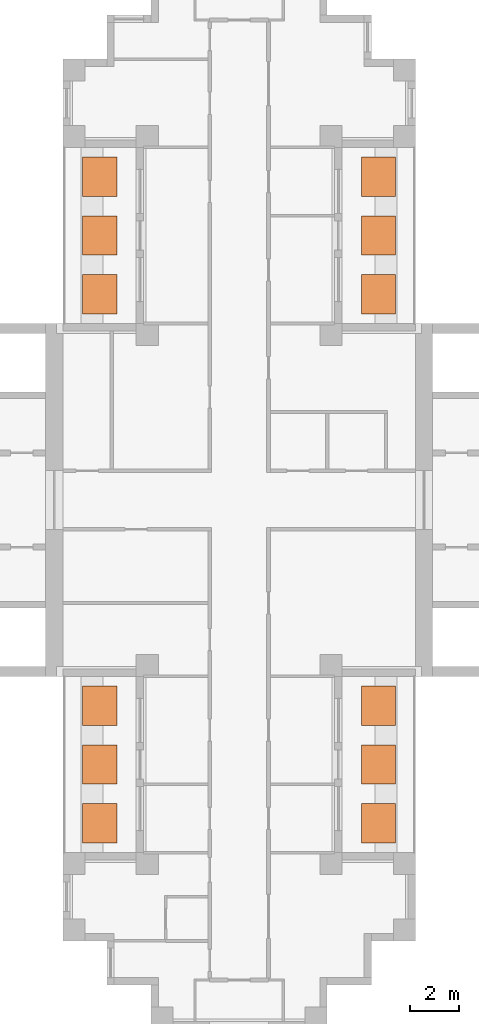
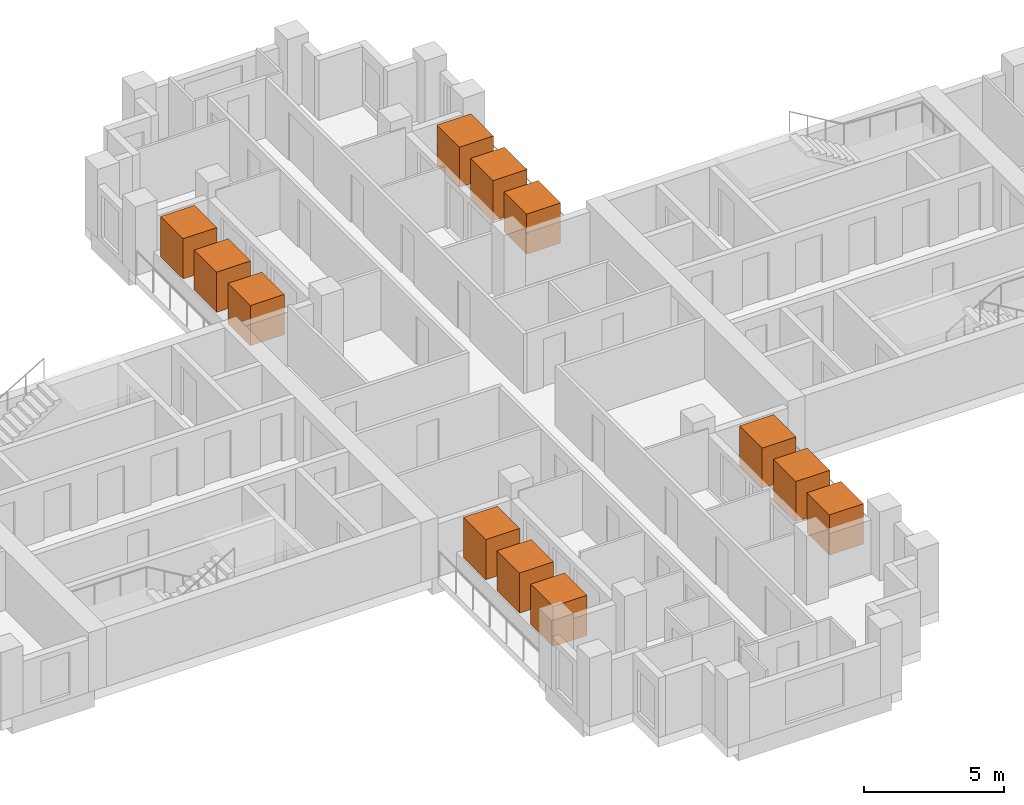
# One storey, part 9 of 9: 12 geographic elements.
"""IFC4 building model written with IfcOpenShell, lengths in metres."""

import ifcopenshell
import ifcopenshell.guid

model = None  # the IFC model being written
_history = None  # IfcOwnerHistory: only IFC2X3 demands one
_inside = {}  # id of a spatial element -> (the spatial element, [elements in it])
_under = {}  # id of a project, library or spatial element -> (it, [spatial elements below it])
_declared = {}  # id of a project -> (the project, [libraries it declares])
_typed = {}  # id of a type object -> (the type object, [elements of that type])
_made_of = {}  # id of a material, layer set ... -> (it, [elements and type objects made of it])


def new_model(schema):
    """Start an empty IFC model of exactly this schema.

    Asked for "IFC4X3", IfcOpenShell would pick the latest addendum, in which some entities
    have other attributes; the version numbers below select the first issue.
    IFC2X3 requires an IfcOwnerHistory on every rooted entity: one is made here for all.
    """
    global model, _history
    if schema == "IFC4X3":
        model = ifcopenshell.file(schema_version=(4, 3, 0, 0))
    else:
        model = ifcopenshell.file(schema=schema)
    _inside.clear()
    _under.clear()
    _declared.clear()
    _typed.clear()
    _made_of.clear()
    _history = None
    if model.schema == "IFC2X3":
        org = make("IfcOrganization", Name="unknown")
        user = make(
            "IfcPersonAndOrganization",
            ThePerson=make("IfcPerson", FamilyName="unknown"),
            TheOrganization=org,
        )
        app = make(
            "IfcApplication",
            ApplicationDeveloper=org,
            Version="unknown",
            ApplicationFullName="unknown",
            ApplicationIdentifier="unknown",
        )
        _history = make(
            "IfcOwnerHistory",
            OwningUser=user,
            OwningApplication=app,
            ChangeAction="ADDED",
            CreationDate=0,
        )
    return model


def make(cls, **values):
    """One entity of the class cls with the attributes given. An attribute that is None is left unset."""
    return model.create_entity(
        cls, **{name: value for name, value in values.items() if value is not None}
    )


def rooted(cls, **values):
    """An entity with a GlobalId (a new one), such as an element, a storey or a relation."""
    return make(cls, GlobalId=ifcopenshell.guid.new(), OwnerHistory=_history, **values)


def si_unit(unit_type, name, prefix=None):
    """IfcSIUnit, for example si_unit("LENGTHUNIT", "METRE", prefix="MILLI")."""
    return make("IfcSIUnit", UnitType=unit_type, Prefix=prefix, Name=name)


def assignment(units):
    """IfcUnitAssignment: the units of a project."""
    return None if units is None else make("IfcUnitAssignment", Units=units)


def point(xyz):
    """IfcCartesianPoint."""
    return None if xyz is None else make("IfcCartesianPoint", Coordinates=xyz)


def direction(xyz):
    """IfcDirection."""
    return None if xyz is None else make("IfcDirection", DirectionRatios=xyz)


def frame(location, z_axis=None, x_axis=None):
    """IfcAxis2Placement3D, a coordinate frame: its origin and axes. An axis left out is left unset."""
    return make(
        "IfcAxis2Placement3D",
        Location=point(location),
        Axis=direction(z_axis),
        RefDirection=direction(x_axis),
    )


def frame_2d(location, x_axis=None):
    """IfcAxis2Placement2D, a coordinate frame in the plane: its origin and x axis."""
    return make(
        "IfcAxis2Placement2D", Location=point(location), RefDirection=direction(x_axis)
    )


def origin():
    """The frame at (0, 0, 0) with its axes left unset."""
    return frame((0.0, 0.0, 0.0))


def origin_2d():
    """The frame at (0, 0) in the plane with its x axis left unset."""
    return frame_2d((0.0, 0.0))


def place(relative_to, where):
    """IfcLocalPlacement: puts the frame where relative to a parent placement (None: the world)."""
    return make(
        "IfcLocalPlacement", PlacementRelTo=relative_to, RelativePlacement=where
    )


def context(
    kind, dimensions, precision=None, world=None, true_north=None, identifier=None
):
    """IfcGeometricRepresentationContext, for example the 3D "Model" context."""
    return make(
        "IfcGeometricRepresentationContext",
        ContextIdentifier=identifier,
        ContextType=kind,
        CoordinateSpaceDimension=dimensions,
        Precision=precision,
        WorldCoordinateSystem=world,
        TrueNorth=true_north,
    )


def subcontext(parent, identifier, kind, view, scale=None):
    """IfcGeometricRepresentationSubContext, for example "Body" below "Model"."""
    return make(
        "IfcGeometricRepresentationSubContext",
        ContextIdentifier=identifier,
        ContextType=kind,
        ParentContext=parent,
        TargetScale=scale,
        TargetView=view,
    )


def project(units=None, contexts=None):
    """IfcProject with its units and contexts."""
    return rooted(
        "IfcProject",
        Name="project",
        RepresentationContexts=contexts,
        UnitsInContext=assignment(units),
    )


def spatial(cls, under=None, at=None, **own):
    """A site, building, storey or space (cls), placed at a placement, below another one or the project."""
    s = rooted(cls, ObjectPlacement=at, **own)
    if under is not None:
        _under.setdefault(under.id(), (under, []))[1].append(s)
    return s


def profile(cls, at=None, kind="AREA", **sizes):
    """A parametric profile (cls). Its sizes go by their IFC names, for example OverallWidth=200.0."""
    return make(cls, ProfileType=kind, Position=at, **sizes)


def rectangle(**sizes):
    """IfcRectangleProfileDef."""
    return profile("IfcRectangleProfileDef", **sizes)


def extrude(swept, where, along, depth):
    """IfcExtrudedAreaSolid: the profile swept, set in the frame where, extruded along a direction by depth."""
    return make(
        "IfcExtrudedAreaSolid",
        SweptArea=swept,
        Position=where,
        ExtrudedDirection=direction(along),
        Depth=depth,
    )


def shape(context_of_items, identifier, shape_type, items):
    """IfcShapeRepresentation: the items that make up one representation, for example the "Body"."""
    return make(
        "IfcShapeRepresentation",
        ContextOfItems=context_of_items,
        RepresentationIdentifier=identifier,
        RepresentationType=shape_type,
        Items=items,
    )


def material(Name=None, Category=None):
    """IfcMaterial."""
    return make("IfcMaterial", Name=Name, Category=Category)


def made_of(thing, what):
    """Note that an element or type object is made of a material, layer set ...; save() writes the relation."""
    if what is not None:
        _made_of.setdefault(what.id(), (what, []))[1].append(thing)
    return thing


def element(
    cls,
    number,
    at=None,
    inside=None,
    cuts=None,
    type_object=None,
    material=None,
    context=None,
    identifier="Body",
    shape_type=None,
    held_by="IfcProductDefinitionShape",
    body=None,
    shapes=None,
    **own,
):
    """One element of the class cls, such as IfcWall. Its Tag is "e" and its number.

    at: its placement. inside: the storey or other place that contains it. cuts: it is an
    opening in that element (IfcRelVoidsElement). A single representation is given by context,
    identifier, shape_type and body (its items); several are given by shapes. held_by: the class
    of the entity that holds the representations. save() writes the other relations.
    """
    e = rooted(cls, Tag="e%d" % number, ObjectPlacement=at, **own)
    if body is not None:
        shapes = [shape(context, identifier, shape_type, body)]
    if shapes is not None:
        e.Representation = make(held_by, Representations=shapes)
    if inside is not None:
        _inside.setdefault(inside.id(), (inside, []))[1].append(e)
    if cuts is not None:
        rooted(
            "IfcRelVoidsElement", RelatingBuildingElement=cuts, RelatedOpeningElement=e
        )
    if type_object is not None:
        _typed.setdefault(type_object.id(), (type_object, []))[1].append(e)
    return made_of(e, material)


def aggregate(whole, parts):
    """IfcRelAggregates: a whole, such as a stair, and the parts it consists of."""
    return rooted("IfcRelAggregates", RelatingObject=whole, RelatedObjects=parts)


def save(model, path):
    """Write the relations noted so far, then the file.

    IfcRelAggregates (storeys below a building ...), IfcRelContainedInSpatialStructure (elements
    in a storey), IfcRelDefinesByType, IfcRelAssociatesMaterial and IfcRelDeclares: one each for
    every whole, place, type object, material and project.
    """
    for whole, parts in _under.values():
        aggregate(whole, parts)
    for where, things in _inside.values():
        rooted(
            "IfcRelContainedInSpatialStructure",
            RelatedElements=things,
            RelatingStructure=where,
        )
    for kind, things in _typed.values():
        rooted("IfcRelDefinesByType", RelatedObjects=things, RelatingType=kind)
    for what, things in _made_of.values():
        rooted("IfcRelAssociatesMaterial", RelatedObjects=things, RelatingMaterial=what)
    for by, libraries in _declared.values():
        rooted("IfcRelDeclares", RelatingContext=by, RelatedDefinitions=libraries)
    model.write(path)


model = new_model("IFC4")

# Units and contexts
model_context = context("Model", 3, precision=1e-05, world=origin(), true_north=direction((0.0, 1.0)))
body_context = subcontext(model_context, "Body", "Model", "MODEL_VIEW")
ifc_project = project(units=[si_unit("LENGTHUNIT", "METRE"), si_unit("AREAUNIT", "SQUARE_METRE"), si_unit("VOLUMEUNIT", "CUBIC_METRE"), si_unit("PLANEANGLEUNIT", "RADIAN"), si_unit("MASSUNIT", "GRAM", prefix="KILO")], contexts=[model_context])

# Site, building, storey
site_placement = place(None, origin())
site = spatial("IfcSite", under=ifc_project, at=site_placement, CompositionType="ELEMENT")
building_placement = place(site_placement, origin())
building = spatial("IfcBuilding", under=site, at=building_placement, Name="Fustian Cross Tower", CompositionType="ELEMENT")
storey_placement = place(building_placement, frame((0.0, 0.0, 219.89990234375)))
storey = spatial("IfcBuildingStorey", under=building, at=storey_placement, Name="L69", CompositionType="ELEMENT", Elevation=219.89990234375)

# Geographic elements
ifc_material = material(Name="Evergreen foliage")
for number, where, z_axis, x_axis, name in (
    (1, (5.68994140625, 8.39990234375, 0.800048828125), (0.0, 0.0, 1.0), (1.0, 0.0, 0.0), "TREE field maple"),
    (2, (5.68994140625, 10.800048828125, 0.800048828125), (0.0, 0.0, 1.0), (1.0, 0.0, 0.0), "TREE field maple"),
    (3, (5.68994140625, 13.199951171875, 0.800048828125), (0.0, 0.0, 1.0), (1.0, 0.0, 0.0), "TREE field maple"),
    (4, (-5.68994140625, 8.39990234375, 0.800048828125), (0.0, 0.0, 1.0), (1.0, 0.0, 0.0), "TREE field maple"),
    (5, (-5.68994140625, 10.800048828125, 0.800048828125), (0.0, 0.0, 1.0), (1.0, 0.0, 0.0), "TREE field maple"),
    (6, (-5.68994140625, 13.199951171875, 0.800048828125), (0.0, 0.0, 1.0), (1.0, 0.0, 0.0), "TREE field maple"),
    (7, (5.68994140625, -13.199951171875, 0.800048828125), (0.0, 0.0, 1.0), (1.0, 0.0, 0.0), "TREE field maple"),
    (8, (5.68994140625, -10.800048828125, 0.800048828125), (0.0, 0.0, 1.0), (1.0, 0.0, 0.0), "TREE field maple"),
    (9, (5.68994140625, -8.39990234375, 0.800048828125), (0.0, 0.0, 1.0), (1.0, 0.0, 0.0), "TREE field maple"),
    (10, (-5.68994140625, -13.199951171875, 0.800048828125), (0.0, 0.0, 1.0), (1.0, 0.0, 0.0), "TREE field maple"),
    (11, (-5.68994140625, -10.800048828125, 0.800048828125), (0.0, 0.0, 1.0), (1.0, 0.0, 0.0), "TREE field maple"),
    (12, (-5.68994140625, -8.39990234375, 0.800048828125), (0.0, 0.0, 1.0), (1.0, 0.0, 0.0), "TREE field maple"),
):
    element("IfcGeographicElement", number, at=place(storey_placement, frame(where, z_axis=z_axis, x_axis=x_axis)), inside=storey, material=ifc_material, Name=name, ObjectType="VEGETATION", PredefinedType="USERDEFINED", context=body_context, shape_type="SweptSolid", body=[
        extrude(rectangle(XDim=1.39990234375, YDim=1.60009765625, at=origin_2d()), origin(), (0.0, 0.0, 1.0), 1.75),
    ])

save(model, "model.ifc")
